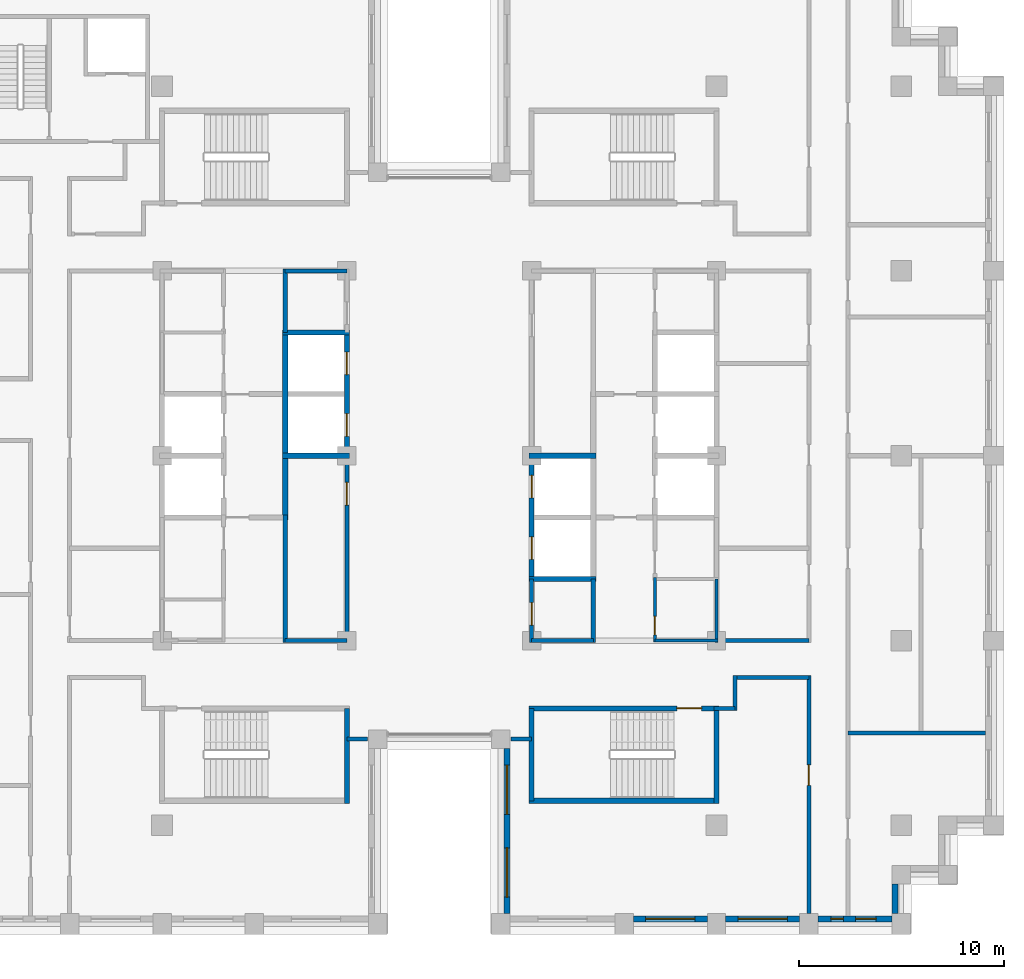
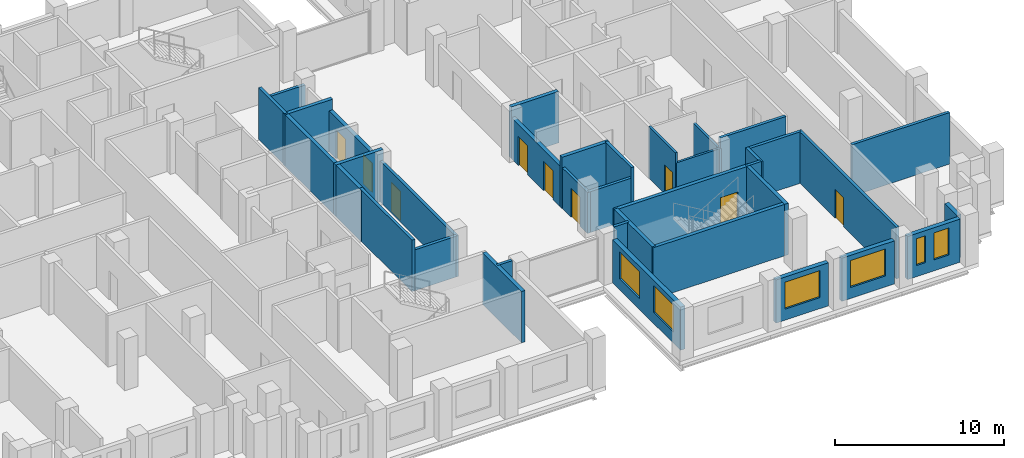
# One storey, part 8 of 15: 36 walls, 9 doors, 6 windows, 15 openings.
"""IFC4 building model written with IfcOpenShell, lengths in metres."""

from ifc_helpers import new_model, si_unit, direction, frame, frame_2d, origin, place, context, subcontext, project, spatial, rectangle, extrude, material, layer, layer_set, type_object, element, fill, save


model = new_model("IFC4")

# Units and contexts
model_context = context("Model", 3, precision=1e-05, world=origin(), true_north=direction((0.0, 1.0)))
body_context = subcontext(model_context, "Body", "Model", "MODEL_VIEW")
ifc_project = project(units=[si_unit("LENGTHUNIT", "METRE"), si_unit("AREAUNIT", "SQUARE_METRE"), si_unit("VOLUMEUNIT", "CUBIC_METRE"), si_unit("PLANEANGLEUNIT", "RADIAN"), si_unit("MASSUNIT", "GRAM", prefix="KILO")], contexts=[model_context])

# Site, building, storey
site_placement = place(None, origin())
site = spatial("IfcSite", under=ifc_project, at=site_placement, CompositionType="ELEMENT")
building_placement = place(site_placement, origin())
building = spatial("IfcBuilding", under=site, at=building_placement, Name="Corbelhall Arena Tower", CompositionType="ELEMENT")
storey_placement = place(building_placement, frame((0.0, 0.0, 188.0)))
storey = spatial("IfcBuildingStorey", under=building, at=storey_placement, Name="L38", CompositionType="ELEMENT", Elevation=188.0)

# Wall, openings, windows
ifc_material_1 = material(Name="Precast concrete C40/50 with granite facing", Category="masonry")
ifc_layer_1 = layer(ifc_material_1, 0.300048828125)
ifc_layer_set_1 = layer_set([ifc_layer_1], Name="EV-IW1 Infill panel 300")
wall_type_1 = type_object("IfcWallType", Name="EV-IW1 Infill panel 300", PredefinedType="SOLIDWALL", material=ifc_layer_set_1)
wall_1_placement = place(storey_placement, frame((3.300048828125, -14.25, 0.0), z_axis=(0.0, 0.0, 1.0), x_axis=(0.0, -1.0, 0.0)))
wall_1 = element("IfcWall", 1, at=wall_1_placement, inside=storey, type_object=wall_type_1, Name="Infill panel IW1", PredefinedType="SOLIDWALL", context=body_context, shape_type="SweptSolid", body=[
    extrude(rectangle(XDim=8.050048828125, YDim=0.300048828125, at=frame_2d((4.02490234375, 0.0))), origin(), (0.0, 0.0, 1.0), 3.1201171875),
])
opening_1_placement = place(wall_1_placement, frame((0.8125, 0.0, 0.800048828125)))
opening_1 = element("IfcOpeningElement", 2, at=opening_1_placement, cuts=wall_1, Name="Opening WN1", PredefinedType="OPENING", context=body_context, shape_type="SweptSolid", body=[
    extrude(rectangle(XDim=2.39990234375, YDim=1.949951171875, at=frame_2d((1.199951171875, 0.97509765625))), frame((0.0, 0.14990234375, 0.0), z_axis=(0.0, -1.0, 0.0), x_axis=(1.0, 0.0, 0.0)), (0.0, 0.0, 1.0), 0.300048828125),
])
opening_2_placement = place(wall_1_placement, frame((4.83740234375, 0.0, 0.800048828125)))
opening_2 = element("IfcOpeningElement", 3, at=opening_2_placement, cuts=wall_1, Name="Opening WN1", PredefinedType="OPENING", context=body_context, shape_type="SweptSolid", body=[
    extrude(rectangle(XDim=2.39990234375, YDim=1.949951171875, at=frame_2d((1.199951171875, 0.97509765625))), frame((0.0, 0.14990234375, 0.0), z_axis=(0.0, -1.0, 0.0), x_axis=(1.0, 0.0, 0.0)), (0.0, 0.0, 1.0), 0.300048828125),
])
ifc_material_2 = material(Name="Aluminium black anodised", Category="aluminium")
window_type_1 = type_object("IfcWindowType", Name="EV-WN1 Office window", PartitioningType="SINGLE_PANEL", PredefinedType="WINDOW", material=ifc_material_2)
window_1_placement = place(opening_1_placement, origin())
window_1 = element("IfcWindow", 4, at=window_1_placement, inside=storey, type_object=window_type_1, Name="Window WN1", OverallHeight=1.949951171875, OverallWidth=2.39990234375, PartitioningType="SINGLE_PANEL", PredefinedType="WINDOW", context=body_context, shape_type="SweptSolid", body=[
    extrude(rectangle(XDim=2.39990234375, YDim=1.949951171875, at=frame_2d((1.199951171875, 0.97509765625))), frame((0.0, 0.030029296875, 0.0), z_axis=(0.0, -1.0, 0.0), x_axis=(1.0, 0.0, 0.0)), (0.0, 0.0, 1.0), 0.06005859375),
])
fill(opening_1, window_1)
window_2_placement = place(opening_2_placement, origin())
window_2 = element("IfcWindow", 5, at=window_2_placement, inside=storey, type_object=window_type_1, Name="Window WN1", OverallHeight=1.949951171875, OverallWidth=2.39990234375, PartitioningType="SINGLE_PANEL", PredefinedType="WINDOW", context=body_context, shape_type="SweptSolid", body=[
    extrude(rectangle(XDim=2.39990234375, YDim=1.949951171875, at=frame_2d((1.199951171875, 0.97509765625))), frame((0.0, 0.030029296875, 0.0), z_axis=(0.0, -1.0, 0.0), x_axis=(1.0, 0.0, 0.0)), (0.0, 0.0, 1.0), 0.06005859375),
])
fill(opening_2, window_2)

# Wall, opening, window
wall_2_placement = place(storey_placement, frame((9.449951171875, -22.550048828125, 0.0), z_axis=(0.0, 0.0, 1.0), x_axis=(1.0, 0.0, 0.0)))
wall_2 = element("IfcWall", 6, at=wall_2_placement, inside=storey, type_object=wall_type_1, Name="Infill panel IW1", PredefinedType="SOLIDWALL", context=body_context, shape_type="SweptSolid", body=[
    extrude(rectangle(XDim=3.60009765625, YDim=0.300048828125, at=frame_2d((1.800048828125, 0.0))), origin(), (0.0, 0.0, 1.0), 3.1201171875),
])
opening_3_placement = place(wall_2_placement, frame((0.60009765625, 0.0, 0.800048828125)))
opening_3 = element("IfcOpeningElement", 7, at=opening_3_placement, cuts=wall_2, Name="Opening WN1", PredefinedType="OPENING", context=body_context, shape_type="SweptSolid", body=[
    extrude(rectangle(XDim=2.39990234375, YDim=1.949951171875, at=frame_2d((1.199951171875, 0.97509765625))), frame((0.0, 0.14990234375, 0.0), z_axis=(0.0, -1.0, 0.0), x_axis=(1.0, 0.0, 0.0)), (0.0, 0.0, 1.0), 0.300048828125),
])
window_3_placement = place(opening_3_placement, origin())
window_3 = element("IfcWindow", 8, at=window_3_placement, inside=storey, type_object=window_type_1, Name="Window WN1", OverallHeight=1.949951171875, OverallWidth=2.39990234375, PartitioningType="SINGLE_PANEL", PredefinedType="WINDOW", context=body_context, shape_type="SweptSolid", body=[
    extrude(rectangle(XDim=2.39990234375, YDim=1.949951171875, at=frame_2d((1.199951171875, 0.97509765625))), frame((0.0, 0.030029296875, 0.0), z_axis=(0.0, -1.0, 0.0), x_axis=(1.0, 0.0, 0.0)), (0.0, 0.0, 1.0), 0.06005859375),
])
fill(opening_3, window_3)

wall_3_placement = place(storey_placement, frame((13.949951171875, -22.550048828125, 0.0), z_axis=(0.0, 0.0, 1.0), x_axis=(1.0, 0.0, 0.0)))
wall_3 = element("IfcWall", 9, at=wall_3_placement, inside=storey, type_object=wall_type_1, Name="Infill panel IW1", PredefinedType="SOLIDWALL", context=body_context, shape_type="SweptSolid", body=[
    extrude(rectangle(XDim=3.60009765625, YDim=0.300048828125, at=frame_2d((1.800048828125, 0.0))), origin(), (0.0, 0.0, 1.0), 3.1201171875),
])
opening_4_placement = place(wall_3_placement, frame((0.60009765625, 0.0, 0.800048828125)))
opening_4 = element("IfcOpeningElement", 10, at=opening_4_placement, cuts=wall_3, Name="Opening WN1", PredefinedType="OPENING", context=body_context, shape_type="SweptSolid", body=[
    extrude(rectangle(XDim=2.39990234375, YDim=1.949951171875, at=frame_2d((1.199951171875, 0.97509765625))), frame((0.0, 0.14990234375, 0.0), z_axis=(0.0, -1.0, 0.0), x_axis=(1.0, 0.0, 0.0)), (0.0, 0.0, 1.0), 0.300048828125),
])
window_4_placement = place(opening_4_placement, origin())
window_4 = element("IfcWindow", 11, at=window_4_placement, inside=storey, type_object=window_type_1, Name="Window WN1", OverallHeight=1.949951171875, OverallWidth=2.39990234375, PartitioningType="SINGLE_PANEL", PredefinedType="WINDOW", context=body_context, shape_type="SweptSolid", body=[
    extrude(rectangle(XDim=2.39990234375, YDim=1.949951171875, at=frame_2d((1.199951171875, 0.97509765625))), frame((0.0, 0.030029296875, 0.0), z_axis=(0.0, -1.0, 0.0), x_axis=(1.0, 0.0, 0.0)), (0.0, 0.0, 1.0), 0.06005859375),
])
fill(opening_4, window_4)

# Wall, openings, windows
wall_4_placement = place(storey_placement, frame((18.449951171875, -22.550048828125, 0.0), z_axis=(0.0, 0.0, 1.0), x_axis=(1.0, 0.0, 0.0)))
wall_4 = element("IfcWall", 12, at=wall_4_placement, inside=storey, type_object=wall_type_1, Name="Infill panel IW1", PredefinedType="SOLIDWALL", context=body_context, shape_type="SweptSolid", body=[
    extrude(rectangle(XDim=3.60009765625, YDim=0.300048828125, at=frame_2d((1.800048828125, 0.0))), origin(), (0.0, 0.0, 1.0), 3.1201171875),
])
opening_5_placement = place(wall_4_placement, frame((0.625, 0.0, 0.800048828125)))
opening_5 = element("IfcOpeningElement", 13, at=opening_5_placement, cuts=wall_4, Name="Opening WN5", PredefinedType="OPENING", context=body_context, shape_type="SweptSolid", body=[
    extrude(rectangle(XDim=0.60009765625, YDim=1.949951171875, at=frame_2d((0.300048828125, 0.97509765625))), frame((0.0, 0.14990234375, 0.0), z_axis=(0.0, -1.0, 0.0), x_axis=(1.0, 0.0, 0.0)), (0.0, 0.0, 1.0), 0.300048828125),
])
opening_6_placement = place(wall_4_placement, frame((1.824951171875, 0.0, 0.800048828125)))
opening_6 = element("IfcOpeningElement", 14, at=opening_6_placement, cuts=wall_4, Name="Opening WN6", PredefinedType="OPENING", context=body_context, shape_type="SweptSolid", body=[
    extrude(rectangle(XDim=1.0, YDim=1.949951171875, at=frame_2d((0.5, 0.97509765625))), frame((0.0, 0.14990234375, 0.0), z_axis=(0.0, -1.0, 0.0), x_axis=(1.0, 0.0, 0.0)), (0.0, 0.0, 1.0), 0.300048828125),
])
window_type_2 = type_object("IfcWindowType", Name="EV-WN5 Office window 600", PartitioningType="SINGLE_PANEL", PredefinedType="WINDOW", material=ifc_material_2)
window_5_placement = place(opening_5_placement, origin())
window_5 = element("IfcWindow", 15, at=window_5_placement, inside=storey, type_object=window_type_2, Name="Window WN5", OverallHeight=1.949951171875, OverallWidth=0.60009765625, PartitioningType="SINGLE_PANEL", PredefinedType="WINDOW", context=body_context, shape_type="SweptSolid", body=[
    extrude(rectangle(XDim=0.60009765625, YDim=1.949951171875, at=frame_2d((0.300048828125, 0.97509765625))), frame((0.0, 0.030029296875, 0.0), z_axis=(0.0, -1.0, 0.0), x_axis=(1.0, 0.0, 0.0)), (0.0, 0.0, 1.0), 0.06005859375),
])
fill(opening_5, window_5)
window_type_3 = type_object("IfcWindowType", Name="EV-WN6 Office window 1000", PartitioningType="SINGLE_PANEL", PredefinedType="WINDOW", material=ifc_material_2)
window_6_placement = place(opening_6_placement, origin())
window_6 = element("IfcWindow", 16, at=window_6_placement, inside=storey, type_object=window_type_3, Name="Window WN6", OverallHeight=1.949951171875, OverallWidth=1.0, PartitioningType="SINGLE_PANEL", PredefinedType="WINDOW", context=body_context, shape_type="SweptSolid", body=[
    extrude(rectangle(XDim=1.0, YDim=1.949951171875, at=frame_2d((0.5, 0.97509765625))), frame((0.0, 0.030029296875, 0.0), z_axis=(0.0, -1.0, 0.0), x_axis=(1.0, 0.0, 0.0)), (0.0, 0.0, 1.0), 0.06005859375),
])
fill(opening_6, window_6)

# Walls
wall_5_placement = place(storey_placement, frame((22.199951171875, -22.300048828125, 0.0), z_axis=(0.0, 0.0, 1.0), x_axis=(0.0, 1.0, 0.0)))
element("IfcWall", 17, at=wall_5_placement, inside=storey, type_object=wall_type_1, Name="Infill panel IW1", PredefinedType="SOLIDWALL", context=body_context, shape_type="SweptSolid", body=[
    extrude(rectangle(XDim=1.449951171875, YDim=0.300048828125, at=frame_2d((0.72509765625, 0.0))), origin(), (0.0, 0.0, 1.0), 3.1201171875),
])
ifc_material_3 = material(Name="Gypsum board on steel stud, acoustic", Category="steel")
ifc_layer_2 = layer(ifc_material_3, 0.199951171875)
ifc_layer_set_2 = layer_set([ifc_layer_2], Name="IN-W-DM200")
wall_type_2 = type_object("IfcWallType", Name="IN-W-DM200", PredefinedType="PARTITIONING", material=ifc_layer_set_2)
for number, where, z_axis, x_axis, name in (
    (18, (-3.5, -13.800048828125, 0.0), (0.0, 0.0, 1.0), (-1.0, 0.0, 0.0), "Partition 034"),
    (19, (4.5, -13.800048828125, 0.0), (0.0, 0.0, 1.0), (-1.0, 0.0, 0.0), "Partition 036"),
):
    element("IfcWall", number, at=place(storey_placement, frame(where, z_axis=z_axis, x_axis=x_axis)), inside=storey, type_object=wall_type_2, Name=name, PredefinedType="PARTITIONING", context=body_context, shape_type="SweptSolid", body=[
        extrude(rectangle(XDim=1.0, YDim=0.199951171875, at=frame_2d((0.5, 0.0))), origin(), (0.0, 0.0, 1.0), 3.719970703125),
    ])
wall_6_placement = place(storey_placement, frame((13.5, -9.0, 0.0), z_axis=(0.0, 0.0, 1.0), x_axis=(1.0, 0.0, 0.0)))
element("IfcWall", 20, at=wall_6_placement, inside=storey, type_object=wall_type_2, Name="Partition 038", PredefinedType="PARTITIONING", context=body_context, shape_type="SweptSolid", body=[
    extrude(rectangle(XDim=4.5, YDim=0.199951171875, at=frame_2d((2.25, 0.0))), origin(), (0.0, 0.0, 1.0), 3.719970703125),
])
wall_7_placement = place(storey_placement, frame((14.39990234375, -12.300048828125, 0.0), z_axis=(0.0, 0.0, 1.0), x_axis=(-1.0, 0.0, 0.0)))
element("IfcWall", 21, at=wall_7_placement, inside=storey, type_object=wall_type_2, Name="Partition 041", PredefinedType="PARTITIONING", context=body_context, shape_type="SweptSolid", body=[
    extrude(rectangle(XDim=1.02490234375, YDim=0.199951171875, at=frame_2d((0.512451171875, 0.0))), origin(), (0.0, 0.0, 1.0), 3.719970703125),
])
wall_8_placement = place(storey_placement, frame((14.39990234375, -10.699951171875, 0.0), z_axis=(0.0, 0.0, 1.0), x_axis=(0.0, -1.0, 0.0)))
element("IfcWall", 22, at=wall_8_placement, inside=storey, type_object=wall_type_2, Name="Partition 042", PredefinedType="PARTITIONING", context=body_context, shape_type="SweptSolid", body=[
    extrude(rectangle(XDim=1.699951171875, YDim=0.199951171875, at=frame_2d((0.85009765625, 0.0))), origin(), (0.0, 0.0, 1.0), 3.719970703125),
])

# Wall, opening, door
wall_9_placement = place(storey_placement, frame((18.0, -22.300048828125, 0.0), z_axis=(0.0, 0.0, 1.0), x_axis=(0.0, 1.0, 0.0)))
wall_9 = element("IfcWall", 23, at=wall_9_placement, inside=storey, type_object=wall_type_2, Name="Partition 046", PredefinedType="PARTITIONING", context=body_context, shape_type="SweptSolid", body=[
    extrude(rectangle(XDim=11.60009765625, YDim=0.199951171875, at=frame_2d((5.800048828125, 0.0))), origin(), (0.0, 0.0, 1.0), 3.719970703125),
])
opening_7_placement = place(wall_9_placement, frame((6.25, 0.0, 0.0)))
opening_7 = element("IfcOpeningElement", 24, at=opening_7_placement, cuts=wall_9, Name="Opening 11030", PredefinedType="OPENING", context=body_context, shape_type="SweptSolid", body=[
    extrude(rectangle(XDim=1.0, YDim=2.10009765625, at=frame_2d((0.5, 1.050048828125))), frame((0.0, 0.10009765625, 0.0), z_axis=(0.0, -1.0, 0.0), x_axis=(1.0, 0.0, 0.0)), (0.0, 0.0, 1.0), 0.199951171875),
])
ifc_material_4 = material(Name="Steel door set", Category="steel")
door_type_1 = type_object("IfcDoorType", Name="IN-D-SW100", OperationType="NOTDEFINED", PredefinedType="DOOR", material=ifc_material_4)
door_1_placement = place(opening_7_placement, origin())
door_1 = element("IfcDoor", 25, at=door_1_placement, inside=storey, type_object=door_type_1, Name="Door 030", OperationType="SINGLE_SWING_LEFT", OverallHeight=2.10009765625, OverallWidth=1.0, PredefinedType="DOOR", context=body_context, shape_type="SweptSolid", body=[
    extrude(rectangle(XDim=1.0, YDim=2.10009765625, at=frame_2d((0.5, 1.050048828125))), frame((0.0, 0.02490234375, 0.0), z_axis=(0.0, -1.0, 0.0), x_axis=(1.0, 0.0, 0.0)), (0.0, 0.0, 1.0), 0.050048828125),
])
fill(opening_7, door_1)

# Walls
wall_10_placement = place(storey_placement, frame((18.0, -10.800048828125, 0.0), z_axis=(0.0, 0.0, 1.0), x_axis=(-1.0, 0.0, 0.0)))
element("IfcWall", 26, at=wall_10_placement, inside=storey, type_object=wall_type_2, Name="Partition 047", PredefinedType="PARTITIONING", context=body_context, shape_type="SweptSolid", body=[
    extrude(rectangle(XDim=3.60009765625, YDim=0.199951171875, at=frame_2d((1.800048828125, 0.0))), origin(), (0.0, 0.0, 1.0), 3.719970703125),
])
wall_11_placement = place(storey_placement, frame((19.89990234375, -13.5, 0.0), z_axis=(0.0, 0.0, 1.0), x_axis=(1.0, 0.0, 0.0)))
element("IfcWall", 27, at=wall_11_placement, inside=storey, type_object=wall_type_2, Name="Partition 051", PredefinedType="PARTITIONING", context=body_context, shape_type="SweptSolid", body=[
    extrude(rectangle(XDim=6.7001953125, YDim=0.199951171875, at=frame_2d((3.35009765625, 0.0))), origin(), (0.0, 0.0, 1.0), 3.719970703125),
])
ifc_material_5 = material(Name="Concrete block wall", Category="concrete")
ifc_layer_3 = layer(ifc_material_5, 0.199951171875)
ifc_layer_set_3 = layer_set([ifc_layer_3], Name="IN-W-RS200")
wall_type_3 = type_object("IfcWallType", Name="IN-W-RS200", PredefinedType="SOLIDWALL", material=ifc_layer_set_3)
wall_12_placement = place(storey_placement, frame((-7.5, -9.10009765625, 0.0), z_axis=(0.0, 0.0, 1.0), x_axis=(0.0, 1.0, 0.0)))
element("IfcWall", 28, at=wall_12_placement, inside=storey, type_object=wall_type_3, Name="Partition 061", PredefinedType="SOLIDWALL", context=body_context, shape_type="SweptSolid", body=[
    extrude(rectangle(XDim=6.22509765625, YDim=0.199951171875, at=frame_2d((3.112548828125, 0.0))), origin(), (0.0, 0.0, 1.0), 3.719970703125),
])
for number, where, z_axis, x_axis, name in (
    (29, (-7.5, 6.0, 0.0), (0.0, 0.0, 1.0), (0.0, 1.0, 0.0), "Partition 062"),
    (30, (7.5, -6.0, 0.0), (0.0, 0.0, 1.0), (0.0, -1.0, 0.0), "Partition 071"),
):
    element("IfcWall", number, at=place(storey_placement, frame(where, z_axis=z_axis, x_axis=x_axis)), inside=storey, type_object=wall_type_3, Name=name, PredefinedType="SOLIDWALL", context=body_context, shape_type="SweptSolid", body=[
        extrude(rectangle(XDim=3.10009765625, YDim=0.199951171875, at=frame_2d((1.550048828125, 0.0))), origin(), (0.0, 0.0, 1.0), 3.719970703125),
    ])
ifc_layer_4 = layer(ifc_material_5, 0.199951171875)
ifc_layer_set_4 = layer_set([ifc_layer_4], Name="IN-W-RS200 under beam 762 mm")
wall_type_4 = type_object("IfcWallType", Name="IN-W-RS200 under beam 762 mm", PredefinedType="SOLIDWALL", material=ifc_layer_set_4)
for number, where, z_axis, x_axis, name in (
    (31, (-7.5, 9.0, 0.0), (0.0, 0.0, 1.0), (1.0, 0.0, 0.0), "Partition 063"),
    (32, (-4.5, -9.0, 0.0), (0.0, 0.0, 1.0), (-1.0, 0.0, 0.0), "Partition 064"),
):
    element("IfcWall", number, at=place(storey_placement, frame(where, z_axis=z_axis, x_axis=x_axis)), inside=storey, type_object=wall_type_4, Name=name, PredefinedType="SOLIDWALL", context=body_context, shape_type="SweptSolid", body=[
        extrude(rectangle(XDim=3.0, YDim=0.199951171875, at=frame_2d((1.5, 0.0))), origin(), (0.0, 0.0, 1.0), 2.9580078125),
    ])

# Wall, opening, door
wall_13_placement = place(storey_placement, frame((-4.5, 0.0, 0.0), z_axis=(0.0, 0.0, 1.0), x_axis=(0.0, -1.0, 0.0)))
wall_13 = element("IfcWall", 33, at=wall_13_placement, inside=storey, type_object=wall_type_4, Name="Partition 065", PredefinedType="SOLIDWALL", context=body_context, shape_type="SweptSolid", body=[
    extrude(rectangle(XDim=9.10009765625, YDim=0.199951171875, at=frame_2d((4.550048828125, 0.0))), origin(), (0.0, 0.0, 1.0), 2.9580078125),
])
opening_8_placement = place(wall_13_placement, frame((1.300048828125, 0.0, 0.0)))
opening_8 = element("IfcOpeningElement", 34, at=opening_8_placement, cuts=wall_13, Name="Opening 11001", PredefinedType="OPENING", context=body_context, shape_type="SweptSolid", body=[
    extrude(rectangle(XDim=1.10009765625, YDim=2.10009765625, at=frame_2d((0.550048828125, 1.050048828125))), frame((0.0, 0.10009765625, 0.0), z_axis=(0.0, -1.0, 0.0), x_axis=(1.0, 0.0, 0.0)), (0.0, 0.0, 1.0), 0.199951171875),
])
door_type_2 = type_object("IfcDoorType", Name="IN-D-FD110", OperationType="NOTDEFINED", PredefinedType="DOOR", material=ifc_material_4)
door_2_placement = place(opening_8_placement, origin())
door_2 = element("IfcDoor", 35, at=door_2_placement, inside=storey, type_object=door_type_2, Name="Door 001", OperationType="SINGLE_SWING_RIGHT", OverallHeight=2.10009765625, OverallWidth=1.10009765625, PredefinedType="DOOR", context=body_context, shape_type="SweptSolid", body=[
    extrude(rectangle(XDim=1.10009765625, YDim=2.10009765625, at=frame_2d((0.550048828125, 1.050048828125))), frame((0.0, 0.02490234375, 0.0), z_axis=(0.0, -1.0, 0.0), x_axis=(1.0, 0.0, 0.0)), (0.0, 0.0, 1.0), 0.050048828125),
])
fill(opening_8, door_2)

wall_14_placement = place(storey_placement, frame((4.5, -9.10009765625, 0.0), z_axis=(0.0, 0.0, 1.0), x_axis=(0.0, 1.0, 0.0)))
wall_14 = element("IfcWall", 36, at=wall_14_placement, inside=storey, type_object=wall_type_4, Name="Partition 067", PredefinedType="SOLIDWALL", context=body_context, shape_type="SweptSolid", body=[
    extrude(rectangle(XDim=3.10009765625, YDim=0.199951171875, at=frame_2d((1.550048828125, 0.0))), origin(), (0.0, 0.0, 1.0), 2.9580078125),
])
opening_9_placement = place(wall_14_placement, frame((0.85009765625, 0.0, 0.0)))
opening_9 = element("IfcOpeningElement", 37, at=opening_9_placement, cuts=wall_14, Name="Opening 11009", PredefinedType="OPENING", context=body_context, shape_type="SweptSolid", body=[
    extrude(rectangle(XDim=1.10009765625, YDim=2.10009765625, at=frame_2d((0.550048828125, 1.050048828125))), frame((0.0, 0.10009765625, 0.0), z_axis=(0.0, -1.0, 0.0), x_axis=(1.0, 0.0, 0.0)), (0.0, 0.0, 1.0), 0.199951171875),
])
door_3_placement = place(opening_9_placement, origin())
door_3 = element("IfcDoor", 38, at=door_3_placement, inside=storey, type_object=door_type_2, Name="Door 009", OperationType="SINGLE_SWING_RIGHT", OverallHeight=2.10009765625, OverallWidth=1.10009765625, PredefinedType="DOOR", context=body_context, shape_type="SweptSolid", body=[
    extrude(rectangle(XDim=1.10009765625, YDim=2.10009765625, at=frame_2d((0.550048828125, 1.050048828125))), frame((0.0, 0.02490234375, 0.0), z_axis=(0.0, -1.0, 0.0), x_axis=(1.0, 0.0, 0.0)), (0.0, 0.0, 1.0), 0.050048828125),
])
fill(opening_9, door_3)

# Walls
wall_15_placement = place(storey_placement, frame((7.5, -9.0, 0.0), z_axis=(0.0, 0.0, 1.0), x_axis=(-1.0, 0.0, 0.0)))
element("IfcWall", 39, at=wall_15_placement, inside=storey, type_object=wall_type_4, Name="Partition 070", PredefinedType="SOLIDWALL", context=body_context, shape_type="SweptSolid", body=[
    extrude(rectangle(XDim=3.0, YDim=0.199951171875, at=frame_2d((1.5, 0.0))), origin(), (0.0, 0.0, 1.0), 2.9580078125),
])
ifc_material_6 = material(Name="Concrete C40/50", Category="concrete")
ifc_layer_5 = layer(ifc_material_6, 0.25)
ifc_layer_set_5 = layer_set([ifc_layer_5], Name="IN-W-SH250")
wall_type_5 = type_object("IfcWallType", Name="IN-W-SH250", PredefinedType="SOLIDWALL", material=ifc_layer_set_5)
for number, where, z_axis, x_axis, name in (
    (40, (-7.625, 0.0, 0.0), (0.0, 0.0, 1.0), (1.0, 0.0, 0.0), "Shaft wall 083"),
    (41, (-7.625, 6.0, 0.0), (0.0, 0.0, 1.0), (1.0, 0.0, 0.0), "Shaft wall 084"),
):
    element("IfcWall", number, at=place(storey_placement, frame(where, z_axis=z_axis, x_axis=x_axis)), inside=storey, type_object=wall_type_5, Name=name, PredefinedType="SOLIDWALL", context=body_context, shape_type="SweptSolid", body=[
        extrude(rectangle(XDim=3.25, YDim=0.25, at=frame_2d((1.625, 0.0))), origin(), (0.0, 0.0, 1.0), 3.719970703125),
    ])
wall_16_placement = place(storey_placement, frame((-7.5, -3.125, 0.0), z_axis=(0.0, 0.0, 1.0), x_axis=(0.0, 1.0, 0.0)))
element("IfcWall", 42, at=wall_16_placement, inside=storey, type_object=wall_type_5, Name="Shaft wall 085", PredefinedType="SOLIDWALL", context=body_context, shape_type="SweptSolid", body=[
    extrude(rectangle(XDim=9.125, YDim=0.25, at=frame_2d((4.5625, 0.0))), origin(), (0.0, 0.0, 1.0), 3.719970703125),
])
for number, where, z_axis, x_axis, name in (
    (43, (4.375, -6.0, 0.0), (0.0, 0.0, 1.0), (1.0, 0.0, 0.0), "Shaft wall 087"),
    (44, (4.375, 0.0, 0.0), (0.0, 0.0, 1.0), (1.0, 0.0, 0.0), "Shaft wall 089"),
):
    element("IfcWall", number, at=place(storey_placement, frame(where, z_axis=z_axis, x_axis=x_axis)), inside=storey, type_object=wall_type_5, Name=name, PredefinedType="SOLIDWALL", context=body_context, shape_type="SweptSolid", body=[
        extrude(rectangle(XDim=3.25, YDim=0.25, at=frame_2d((1.625, 0.0))), origin(), (0.0, 0.0, 1.0), 3.719970703125),
    ])

# Wall, openings, doors
ifc_layer_6 = layer(ifc_material_6, 0.25)
ifc_layer_set_6 = layer_set([ifc_layer_6], Name="IN-W-SH250 under beam 762 mm")
wall_type_6 = type_object("IfcWallType", Name="IN-W-SH250 under beam 762 mm", PredefinedType="SOLIDWALL", material=ifc_layer_set_6)
wall_17_placement = place(storey_placement, frame((-4.5, 6.0, 0.0), z_axis=(0.0, 0.0, 1.0), x_axis=(0.0, -1.0, 0.0)))
wall_17 = element("IfcWall", 45, at=wall_17_placement, inside=storey, type_object=wall_type_6, Name="Shaft wall 086", PredefinedType="SOLIDWALL", context=body_context, shape_type="SweptSolid", body=[
    extrude(rectangle(XDim=6.0, YDim=0.25, at=frame_2d((3.0, 0.0))), origin(), (0.0, 0.0, 1.0), 2.9580078125),
])
opening_10_placement = place(wall_17_placement, frame((3.949951171875, 0.0, 0.0)))
opening_10 = element("IfcOpeningElement", 46, at=opening_10_placement, cuts=wall_17, Name="Opening LD", PredefinedType="OPENING", context=body_context, shape_type="SweptSolid", body=[
    extrude(rectangle(XDim=1.10009765625, YDim=2.10009765625, at=frame_2d((0.550048828125, 1.050048828125))), frame((0.0, 0.125, 0.0), z_axis=(0.0, -1.0, 0.0), x_axis=(1.0, 0.0, 0.0)), (0.0, 0.0, 1.0), 0.25),
])
opening_11_placement = place(wall_17_placement, frame((0.949951171875, 0.0, 0.0)))
opening_11 = element("IfcOpeningElement", 47, at=opening_11_placement, cuts=wall_17, Name="Opening LD", PredefinedType="OPENING", context=body_context, shape_type="SweptSolid", body=[
    extrude(rectangle(XDim=1.10009765625, YDim=2.10009765625, at=frame_2d((0.550048828125, 1.050048828125))), frame((0.0, 0.125, 0.0), z_axis=(0.0, -1.0, 0.0), x_axis=(1.0, 0.0, 0.0)), (0.0, 0.0, 1.0), 0.25),
])
door_type_3 = type_object("IfcDoorType", Name="IN-D-LD110", OperationType="NOTDEFINED", PredefinedType="DOOR", material=ifc_material_4)
door_4_placement = place(opening_10_placement, origin())
door_4 = element("IfcDoor", 48, at=door_4_placement, inside=storey, type_object=door_type_3, Name="Landing door W4", OperationType="SLIDING_TO_LEFT", OverallHeight=2.10009765625, OverallWidth=1.10009765625, PredefinedType="DOOR", context=body_context, shape_type="SweptSolid", body=[
    extrude(rectangle(XDim=1.10009765625, YDim=2.10009765625, at=frame_2d((0.550048828125, 1.050048828125))), frame((0.0, 0.02490234375, 0.0), z_axis=(0.0, -1.0, 0.0), x_axis=(1.0, 0.0, 0.0)), (0.0, 0.0, 1.0), 0.050048828125),
])
fill(opening_10, door_4)
door_5_placement = place(opening_11_placement, origin())
door_5 = element("IfcDoor", 49, at=door_5_placement, inside=storey, type_object=door_type_3, Name="Landing door W5", OperationType="SLIDING_TO_LEFT", OverallHeight=2.10009765625, OverallWidth=1.10009765625, PredefinedType="DOOR", context=body_context, shape_type="SweptSolid", body=[
    extrude(rectangle(XDim=1.10009765625, YDim=2.10009765625, at=frame_2d((0.550048828125, 1.050048828125))), frame((0.0, 0.02490234375, 0.0), z_axis=(0.0, -1.0, 0.0), x_axis=(1.0, 0.0, 0.0)), (0.0, 0.0, 1.0), 0.050048828125),
])
fill(opening_11, door_5)

wall_18_placement = place(storey_placement, frame((4.5, -6.0, 0.0), z_axis=(0.0, 0.0, 1.0), x_axis=(0.0, 1.0, 0.0)))
wall_18 = element("IfcWall", 50, at=wall_18_placement, inside=storey, type_object=wall_type_6, Name="Shaft wall 090", PredefinedType="SOLIDWALL", context=body_context, shape_type="SweptSolid", body=[
    extrude(rectangle(XDim=6.0, YDim=0.25, at=frame_2d((3.0, 0.0))), origin(), (0.0, 0.0, 1.0), 2.9580078125),
])
opening_12_placement = place(wall_18_placement, frame((0.949951171875, 0.0, 0.0)))
opening_12 = element("IfcOpeningElement", 51, at=opening_12_placement, cuts=wall_18, Name="Opening LD", PredefinedType="OPENING", context=body_context, shape_type="SweptSolid", body=[
    extrude(rectangle(XDim=1.10009765625, YDim=2.10009765625, at=frame_2d((0.550048828125, 1.050048828125))), frame((0.0, 0.125, 0.0), z_axis=(0.0, -1.0, 0.0), x_axis=(1.0, 0.0, 0.0)), (0.0, 0.0, 1.0), 0.25),
])
opening_13_placement = place(wall_18_placement, frame((3.949951171875, 0.0, 0.0)))
opening_13 = element("IfcOpeningElement", 52, at=opening_13_placement, cuts=wall_18, Name="Opening LD", PredefinedType="OPENING", context=body_context, shape_type="SweptSolid", body=[
    extrude(rectangle(XDim=1.10009765625, YDim=2.10009765625, at=frame_2d((0.550048828125, 1.050048828125))), frame((0.0, 0.125, 0.0), z_axis=(0.0, -1.0, 0.0), x_axis=(1.0, 0.0, 0.0)), (0.0, 0.0, 1.0), 0.25),
])
door_6_placement = place(opening_12_placement, origin())
door_6 = element("IfcDoor", 53, at=door_6_placement, inside=storey, type_object=door_type_3, Name="Landing door E2", OperationType="SLIDING_TO_LEFT", OverallHeight=2.10009765625, OverallWidth=1.10009765625, PredefinedType="DOOR", context=body_context, shape_type="SweptSolid", body=[
    extrude(rectangle(XDim=1.10009765625, YDim=2.10009765625, at=frame_2d((0.550048828125, 1.050048828125))), frame((0.0, 0.02490234375, 0.0), z_axis=(0.0, -1.0, 0.0), x_axis=(1.0, 0.0, 0.0)), (0.0, 0.0, 1.0), 0.050048828125),
])
fill(opening_12, door_6)
door_7_placement = place(opening_13_placement, origin())
door_7 = element("IfcDoor", 54, at=door_7_placement, inside=storey, type_object=door_type_3, Name="Landing door E3", OperationType="SLIDING_TO_LEFT", OverallHeight=2.10009765625, OverallWidth=1.10009765625, PredefinedType="DOOR", context=body_context, shape_type="SweptSolid", body=[
    extrude(rectangle(XDim=1.10009765625, YDim=2.10009765625, at=frame_2d((0.550048828125, 1.050048828125))), frame((0.0, 0.02490234375, 0.0), z_axis=(0.0, -1.0, 0.0), x_axis=(1.0, 0.0, 0.0)), (0.0, 0.0, 1.0), 0.050048828125),
])
fill(opening_13, door_7)

# Walls
ifc_layer_7 = layer(ifc_material_6, 0.25)
ifc_layer_set_7 = layer_set([ifc_layer_7], Name="IN-W-ST250")
wall_type_7 = type_object("IfcWallType", Name="IN-W-ST250", PredefinedType="SOLIDWALL", material=ifc_layer_set_7)
wall_19_placement = place(storey_placement, frame((-4.5, -12.300048828125, 0.0), z_axis=(0.0, 0.0, 1.0), x_axis=(0.0, -1.0, 0.0)))
element("IfcWall", 55, at=wall_19_placement, inside=storey, type_object=wall_type_7, Name="Shaft wall 108", PredefinedType="SOLIDWALL", context=body_context, shape_type="SweptSolid", body=[
    extrude(rectangle(XDim=4.625, YDim=0.25, at=frame_2d((2.3125, 0.0))), origin(), (0.0, 0.0, 1.0), 3.719970703125),
])
wall_20_placement = place(storey_placement, frame((4.5, -16.800048828125, 0.0), z_axis=(0.0, 0.0, 1.0), x_axis=(0.0, 1.0, 0.0)))
element("IfcWall", 56, at=wall_20_placement, inside=storey, type_object=wall_type_7, Name="Shaft wall 113", PredefinedType="SOLIDWALL", context=body_context, shape_type="SweptSolid", body=[
    extrude(rectangle(XDim=4.5, YDim=0.25, at=frame_2d((2.25, 0.0))), origin(), (0.0, 0.0, 1.0), 3.719970703125),
])
wall_21_placement = place(storey_placement, frame((13.5, -16.800048828125, 0.0), z_axis=(0.0, 0.0, 1.0), x_axis=(-1.0, 0.0, 0.0)))
element("IfcWall", 57, at=wall_21_placement, inside=storey, type_object=wall_type_7, Name="Shaft wall 115", PredefinedType="SOLIDWALL", context=body_context, shape_type="SweptSolid", body=[
    extrude(rectangle(XDim=9.125, YDim=0.25, at=frame_2d((4.5625, 0.0))), origin(), (0.0, 0.0, 1.0), 3.719970703125),
])
wall_22_placement = place(storey_placement, frame((13.5, -12.300048828125, 0.0), z_axis=(0.0, 0.0, 1.0), x_axis=(0.0, -1.0, 0.0)))
element("IfcWall", 58, at=wall_22_placement, inside=storey, type_object=wall_type_7, Name="Shaft wall 116", PredefinedType="SOLIDWALL", context=body_context, shape_type="SweptSolid", body=[
    extrude(rectangle(XDim=4.625, YDim=0.25, at=frame_2d((2.3125, 0.0))), origin(), (0.0, 0.0, 1.0), 3.719970703125),
])

# Wall, opening, door
wall_23_placement = place(storey_placement, frame((13.625, -12.300048828125, 0.0), z_axis=(0.0, 0.0, 1.0), x_axis=(-1.0, 0.0, 0.0)))
wall_23 = element("IfcWall", 59, at=wall_23_placement, inside=storey, type_object=wall_type_7, Name="Shaft wall 118", PredefinedType="SOLIDWALL", context=body_context, shape_type="SweptSolid", body=[
    extrude(rectangle(XDim=9.25, YDim=0.25, at=frame_2d((4.625, 0.0))), origin(), (0.0, 0.0, 1.0), 3.719970703125),
])
opening_14_placement = place(wall_23_placement, frame((0.85009765625, 0.0, 0.0)))
opening_14 = element("IfcOpeningElement", 60, at=opening_14_placement, cuts=wall_23, Name="Opening 11019", PredefinedType="OPENING", context=body_context, shape_type="SweptSolid", body=[
    extrude(rectangle(XDim=1.199951171875, YDim=2.10009765625, at=frame_2d((0.60009765625, 1.050048828125))), frame((0.0, 0.125, 0.0), z_axis=(0.0, -1.0, 0.0), x_axis=(1.0, 0.0, 0.0)), (0.0, 0.0, 1.0), 0.25),
])
door_type_4 = type_object("IfcDoorType", Name="IN-D-ST120", OperationType="NOTDEFINED", PredefinedType="DOOR", material=ifc_material_4)
door_8_placement = place(opening_14_placement, origin())
door_8 = element("IfcDoor", 61, at=door_8_placement, inside=storey, type_object=door_type_4, Name="Door 019", OperationType="SINGLE_SWING_RIGHT", OverallHeight=2.10009765625, OverallWidth=1.199951171875, PredefinedType="DOOR", context=body_context, shape_type="SweptSolid", body=[
    extrude(rectangle(XDim=1.199951171875, YDim=2.10009765625, at=frame_2d((0.60009765625, 1.050048828125))), frame((0.0, 0.02490234375, 0.0), z_axis=(0.0, -1.0, 0.0), x_axis=(1.0, 0.0, 0.0)), (0.0, 0.0, 1.0), 0.050048828125),
])
fill(opening_14, door_8)

ifc_material_7 = material(Name="Gypsum board on steel stud, moisture resistant", Category="steel")
ifc_layer_8 = layer(ifc_material_7, 0.14990234375)
ifc_layer_set_8 = layer_set([ifc_layer_8], Name="IN-W-WC150")
wall_type_8 = type_object("IfcWallType", Name="IN-W-WC150", PredefinedType="PARTITIONING", material=ifc_layer_set_8)
wall_24_placement = place(storey_placement, frame((10.5, -5.925048828125, 0.0), z_axis=(0.0, 0.0, 1.0), x_axis=(0.0, -1.0, 0.0)))
wall_24 = element("IfcWall", 62, at=wall_24_placement, inside=storey, type_object=wall_type_8, Name="Partition 127", PredefinedType="PARTITIONING", context=body_context, shape_type="SweptSolid", body=[
    extrude(rectangle(XDim=3.14990234375, YDim=0.14990234375, at=frame_2d((1.574951171875, 0.0))), origin(), (0.0, 0.0, 1.0), 3.719970703125),
])
opening_15_placement = place(wall_24_placement, frame((1.89990234375, 0.0, 0.0)))
opening_15 = element("IfcOpeningElement", 63, at=opening_15_placement, cuts=wall_24, Name="Opening 11013", PredefinedType="OPENING", context=body_context, shape_type="SweptSolid", body=[
    extrude(rectangle(XDim=0.89990234375, YDim=2.10009765625, at=frame_2d((0.449951171875, 1.050048828125))), frame((0.0, 0.074951171875, 0.0), z_axis=(0.0, -1.0, 0.0), x_axis=(1.0, 0.0, 0.0)), (0.0, 0.0, 1.0), 0.14990234375),
])
ifc_material_8 = material(Name="Timber door set", Category="wood")
door_type_5 = type_object("IfcDoorType", Name="IN-D-SW90", OperationType="NOTDEFINED", PredefinedType="DOOR", material=ifc_material_8)
door_9_placement = place(opening_15_placement, origin())
door_9 = element("IfcDoor", 64, at=door_9_placement, inside=storey, type_object=door_type_5, Name="Door 013", OperationType="SINGLE_SWING_RIGHT", OverallHeight=2.10009765625, OverallWidth=0.89990234375, PredefinedType="DOOR", context=body_context, shape_type="SweptSolid", body=[
    extrude(rectangle(XDim=0.89990234375, YDim=2.10009765625, at=frame_2d((0.449951171875, 1.050048828125))), frame((0.0, 0.02490234375, 0.0), z_axis=(0.0, -1.0, 0.0), x_axis=(1.0, 0.0, 0.0)), (0.0, 0.0, 1.0), 0.050048828125),
])
fill(opening_15, door_9)

# Walls
ifc_layer_9 = layer(ifc_material_7, 0.14990234375)
ifc_layer_set_9 = layer_set([ifc_layer_9], Name="IN-W-WC150 under beam 762 mm")
wall_type_9 = type_object("IfcWallType", Name="IN-W-WC150 under beam 762 mm", PredefinedType="PARTITIONING", material=ifc_layer_set_9)
wall_25_placement = place(storey_placement, frame((13.5, -6.0, 0.0), z_axis=(0.0, 0.0, 1.0), x_axis=(0.0, -1.0, 0.0)))
element("IfcWall", 65, at=wall_25_placement, inside=storey, type_object=wall_type_9, Name="Partition 128", PredefinedType="PARTITIONING", context=body_context, shape_type="SweptSolid", body=[
    extrude(rectangle(XDim=3.10009765625, YDim=0.14990234375, at=frame_2d((1.550048828125, 0.0))), origin(), (0.0, 0.0, 1.0), 2.9580078125),
])
wall_26_placement = place(storey_placement, frame((13.574951171875, -9.0, 0.0), z_axis=(0.0, 0.0, 1.0), x_axis=(-1.0, 0.0, 0.0)))
element("IfcWall", 66, at=wall_26_placement, inside=storey, type_object=wall_type_9, Name="Partition 129", PredefinedType="PARTITIONING", context=body_context, shape_type="SweptSolid", body=[
    extrude(rectangle(XDim=3.074951171875, YDim=0.14990234375, at=frame_2d((1.53759765625, 0.0))), origin(), (0.0, 0.0, 1.0), 2.9580078125),
])

save(model, "model.ifc")
